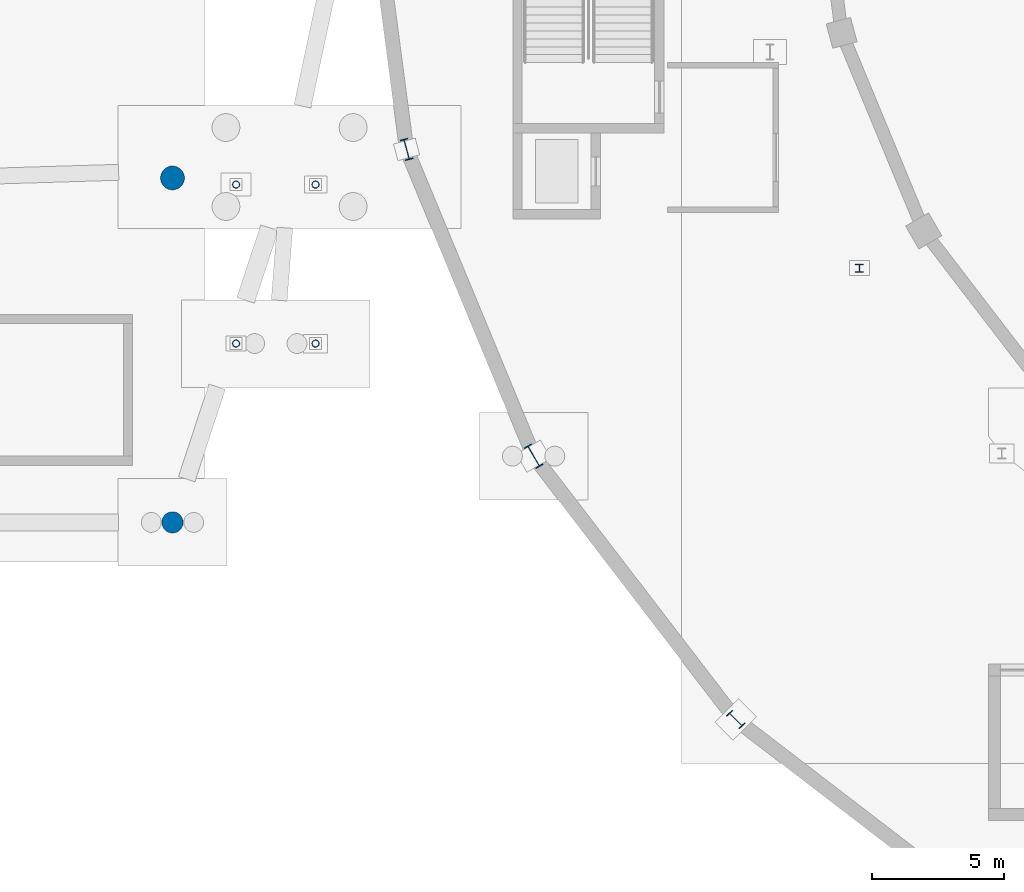
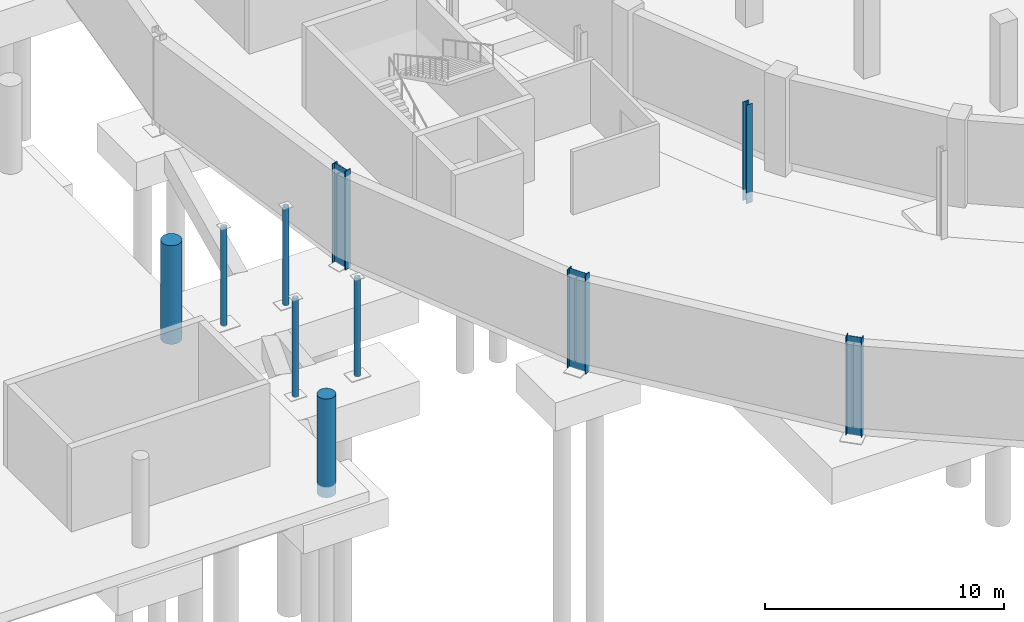
# One storey, part 9 of 55: 10 columns.
"""IFC4 building model written with IfcOpenShell, lengths in metres."""

from ifc_helpers import new_model, si_unit, direction, frame, origin, origin_2d, place, context, subcontext, project, spatial, circle, hollow_circle, i_section, extrude, material, material_profile, profile_set, type_object, element, save


model = new_model("IFC4")

# Units and contexts
model_context = context("Model", 3, precision=1e-05, world=origin(), true_north=direction((0.0, 1.0)))
body_context = subcontext(model_context, "Body", "Model", "MODEL_VIEW")
ifc_project = project(units=[si_unit("LENGTHUNIT", "METRE"), si_unit("AREAUNIT", "SQUARE_METRE"), si_unit("VOLUMEUNIT", "CUBIC_METRE"), si_unit("PLANEANGLEUNIT", "RADIAN"), si_unit("MASSUNIT", "GRAM", prefix="KILO")], contexts=[model_context])

# Site, building, storey
site_placement = place(None, origin())
site = spatial("IfcSite", under=ifc_project, at=site_placement, CompositionType="ELEMENT")
building_placement = place(site_placement, origin())
building = spatial("IfcBuilding", under=site, at=building_placement, Name="Sohan Crest Arena", CompositionType="ELEMENT")
storey_placement = place(building_placement, frame((0.0, 0.0, -4.5)))
storey = spatial("IfcBuildingStorey", under=building, at=storey_placement, Name="B1", CompositionType="ELEMENT", Elevation=-4.5)

# Columns
ifc_material_1 = material(Name="Concrete C40/50", Category="concrete")
ifc_material_profile_1 = material_profile(ifc_material_1, circle(Radius=0.39990234375, at=origin_2d()), Name="RC D800")
ifc_profile_set_1 = profile_set([ifc_material_profile_1], Name="Concrete C40/50")
column_type_1 = type_object("IfcColumnType", Name="STR-COL-C14", PredefinedType="COLUMN", material=ifc_profile_set_1)
column_1_placement = place(storey_placement, frame((42.800048828125, 51.5, -0.550048828125), z_axis=(0.0, 0.0, 1.0), x_axis=(1.0, 0.0, 0.0)))
element("IfcColumn", 1, at=column_1_placement, inside=storey, type_object=column_type_1, Name="Structural column COL-V3C-41-B1", PredefinedType="COLUMN", context=body_context, shape_type="SweptSolid", body=[
    extrude(circle(Radius=0.39990234375, at=origin_2d()), origin(), (0.0, 0.0, 1.0), 5.050048828125),
])
ifc_material_profile_2 = material_profile(ifc_material_1, circle(Radius=0.449951171875, at=origin_2d()), Name="RC D900")
ifc_profile_set_2 = profile_set([ifc_material_profile_2], Name="Concrete C40/50")
column_type_2 = type_object("IfcColumnType", Name="STR-COL-C15", PredefinedType="COLUMN", material=ifc_profile_set_2)
column_2_placement = place(storey_placement, frame((42.800048828125, 64.5, -0.550048828125), z_axis=(0.0, 0.0, 1.0), x_axis=(1.0, 0.0, 0.0)))
element("IfcColumn", 2, at=column_2_placement, inside=storey, type_object=column_type_2, Name="Structural column COL-V3C-42-B1", PredefinedType="COLUMN", context=body_context, shape_type="SweptSolid", body=[
    extrude(circle(Radius=0.449951171875, at=origin_2d()), origin(), (0.0, 0.0, 1.0), 5.050048828125),
])
ifc_material_2 = material(Name="Steel S355", Category="steel")
ifc_material_profile_3 = material_profile(ifc_material_2, i_section(OverallWidth=0.300048828125, OverallDepth=0.300048828125, WebThickness=0.010986328125, FlangeThickness=0.01904296875, at=origin_2d()), Name="HEB 300")
ifc_profile_set_3 = profile_set([ifc_material_profile_3], Name="Steel S355")
column_type_3 = type_object("IfcColumnType", Name="STR-COL-C17", PredefinedType="COLUMN", material=ifc_profile_set_3)
column_3_placement = place(storey_placement, frame((68.72802734375, 61.10009765625, -0.550048828125), z_axis=(0.0, 0.0, 1.0), x_axis=(1.0, 0.0, 0.0)))
element("IfcColumn", 3, at=column_3_placement, inside=storey, type_object=column_type_3, Name="Structural column COL-V2I-09-B1", PredefinedType="COLUMN", context=body_context, shape_type="SweptSolid", body=[
    extrude(i_section(OverallWidth=0.300048828125, OverallDepth=0.300048828125, WebThickness=0.010986328125, FlangeThickness=0.01904296875, at=origin_2d()), origin(), (0.0, 0.0, 1.0), 5.050048828125),
])
ifc_material_profile_4 = material_profile(ifc_material_2, i_section(OverallWidth=0.300048828125, OverallDepth=0.699951171875, WebThickness=0.01708984375, FlangeThickness=0.031982421875, at=origin_2d()), Name="HEB 700")
ifc_profile_set_4 = profile_set([ifc_material_profile_4], Name="Steel S355")
column_type_4 = type_object("IfcColumnType", Name="STR-COL-C21", PredefinedType="COLUMN", material=ifc_profile_set_4)
column_4_placement = place(storey_placement, frame((64.05908203125, 44.05908203125, -0.550048828125), z_axis=(0.0, 0.0, 1.0), x_axis=(0.707106781187, 0.707106781187, 0.0)))
element("IfcColumn", 4, at=column_4_placement, inside=storey, type_object=column_type_4, Name="Structural column COL-V2O-10-B1", PredefinedType="COLUMN", context=body_context, shape_type="SweptSolid", body=[
    extrude(i_section(OverallWidth=0.300048828125, OverallDepth=0.699951171875, WebThickness=0.01708984375, FlangeThickness=0.031982421875, at=origin_2d()), origin(), (0.0, 0.0, 1.0), 5.050048828125),
])
ifc_material_profile_5 = material_profile(ifc_material_2, i_section(OverallWidth=0.300048828125, OverallDepth=0.800048828125, WebThickness=0.017578125, FlangeThickness=0.032958984375, at=origin_2d()), Name="HEB 800")
ifc_profile_set_5 = profile_set([ifc_material_profile_5], Name="Steel S355")
column_type_5 = type_object("IfcColumnType", Name="STR-COL-C22", PredefinedType="COLUMN", material=ifc_profile_set_5)
column_5_placement = place(storey_placement, frame((51.635986328125, 65.576904296875, -0.550048828125), z_axis=(0.0, 0.0, 1.0), x_axis=(0.965925826289, 0.258819045103, 0.0)))
element("IfcColumn", 5, at=column_5_placement, inside=storey, type_object=column_type_5, Name="Structural column COL-V2O-08-B1", PredefinedType="COLUMN", context=body_context, shape_type="SweptSolid", body=[
    extrude(i_section(OverallWidth=0.300048828125, OverallDepth=0.800048828125, WebThickness=0.017578125, FlangeThickness=0.032958984375, at=origin_2d()), origin(), (0.0, 0.0, 1.0), 5.050048828125),
])
ifc_material_profile_6 = material_profile(ifc_material_2, i_section(OverallWidth=0.300048828125, OverallDepth=0.89990234375, WebThickness=0.0185546875, FlangeThickness=0.034912109375, at=origin_2d()), Name="HEB 900")
ifc_profile_set_6 = profile_set([ifc_material_profile_6], Name="Steel S355")
column_type_6 = type_object("IfcColumnType", Name="STR-COL-C23", PredefinedType="COLUMN", material=ifc_profile_set_6)
column_6_placement = place(storey_placement, frame((56.430908203125, 54.0, -0.550048828125), z_axis=(0.0, 0.0, 1.0), x_axis=(0.866025403784, 0.5, 0.0)))
element("IfcColumn", 6, at=column_6_placement, inside=storey, type_object=column_type_6, Name="Structural column COL-V2O-09-B1", PredefinedType="COLUMN", context=body_context, shape_type="SweptSolid", body=[
    extrude(i_section(OverallWidth=0.300048828125, OverallDepth=0.89990234375, WebThickness=0.0185546875, FlangeThickness=0.034912109375, at=origin_2d()), origin(), (0.0, 0.0, 1.0), 5.050048828125),
])
ifc_material_profile_7 = material_profile(ifc_material_2, hollow_circle(Radius=0.136474609375, WallThickness=0.012451171875, at=origin_2d()), Name="CHS 273x12.5")
ifc_profile_set_7 = profile_set([ifc_material_profile_7], Name="Steel S355")
column_type_7 = type_object("IfcColumnType", Name="STR-COL-C25", PredefinedType="COLUMN", material=ifc_profile_set_7)
for number, where, z_axis, x_axis, name in (
    (7, (45.199951171875, 58.25, -0.550048828125), (0.0, 0.0, 1.0), (1.0, 0.0, 0.0), "Structural column COL-BC-BR-W1-1-B1"),
    (8, (48.199951171875, 58.25, -0.550048828125), (0.0, 0.0, 1.0), (1.0, 0.0, 0.0), "Structural column COL-BC-BR-W1-2-B1"),
    (9, (45.199951171875, 64.25, -0.550048828125), (0.0, 0.0, 1.0), (1.0, 0.0, 0.0), "Structural column COL-BC-BR-W1-3-B1"),
    (10, (48.199951171875, 64.25, -0.550048828125), (0.0, 0.0, 1.0), (1.0, 0.0, 0.0), "Structural column COL-BC-BR-W1-4-B1"),
):
    element("IfcColumn", number, at=place(storey_placement, frame(where, z_axis=z_axis, x_axis=x_axis)), inside=storey, type_object=column_type_7, Name=name, PredefinedType="COLUMN", context=body_context, shape_type="SweptSolid", body=[
        extrude(hollow_circle(Radius=0.136474609375, WallThickness=0.012451171875, at=origin_2d()), origin(), (0.0, 0.0, 1.0), 5.050048828125),
    ])

save(model, "model.ifc")
